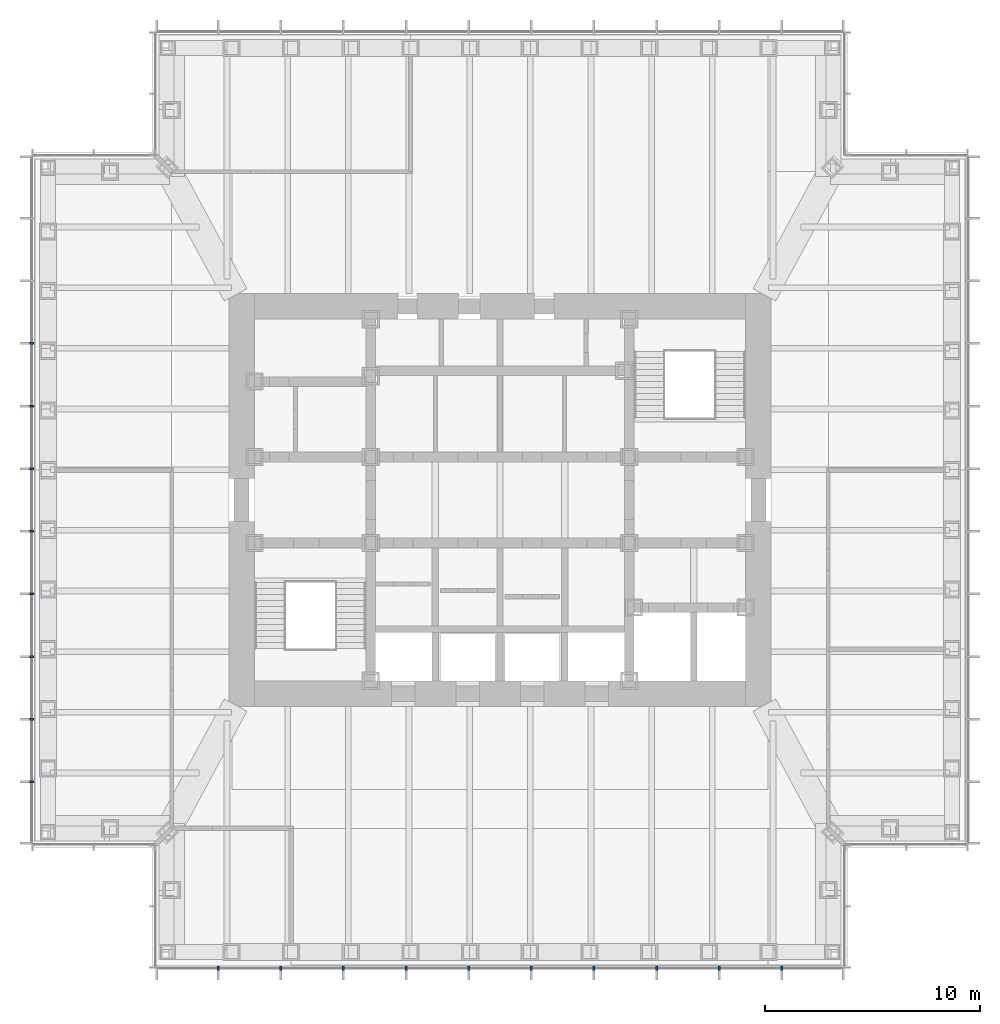
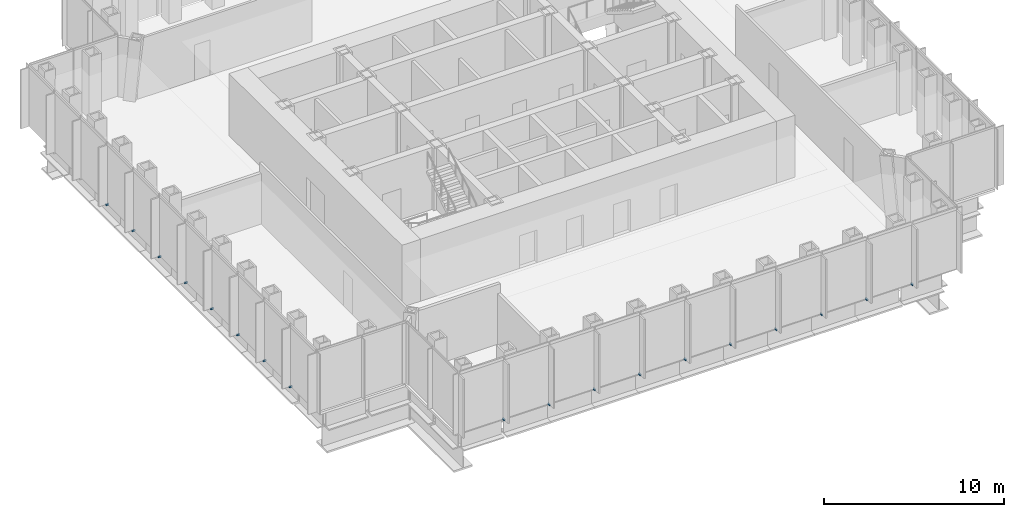
# One storey, part 11 of 14: 18 discrete accessories.
"""IFC4 building model written with IfcOpenShell, lengths in metres."""

from ifc_helpers import new_model, si_unit, direction, frame, origin, origin_2d, place, context, subcontext, project, spatial, rectangle, extrude, element, save


model = new_model("IFC4")

# Units and contexts
model_context = context("Model", 3, precision=1e-05, world=origin(), true_north=direction((0.0, 1.0)))
body_context = subcontext(model_context, "Body", "Model", "MODEL_VIEW")
ifc_project = project(units=[si_unit("LENGTHUNIT", "METRE"), si_unit("AREAUNIT", "SQUARE_METRE"), si_unit("VOLUMEUNIT", "CUBIC_METRE"), si_unit("PLANEANGLEUNIT", "RADIAN"), si_unit("MASSUNIT", "GRAM", prefix="KILO")], contexts=[model_context])

# Site, building, storey
site_placement = place(None, origin())
site = spatial("IfcSite", under=ifc_project, at=site_placement, CompositionType="ELEMENT")
building_placement = place(site_placement, origin())
building = spatial("IfcBuilding", under=site, at=building_placement, Name="Daluyong Arena Tower", CompositionType="ELEMENT")
storey_placement = place(building_placement, frame((0.0, 0.0, 250.300048828125)))
storey = spatial("IfcBuildingStorey", under=building, at=storey_placement, Name="L56", CompositionType="ELEMENT", Elevation=250.300048828125)

# Discrete accessories
for number, where, z_axis, x_axis, name in (
    (1, (42.9091796875, 58.25, -0.10009765625), (0.0, 0.0, 1.0), (1.0, 0.0, 0.0), "curtain wall L56 S anchor bracket 2"),
    (2, (45.818115234375, 58.25, -0.10009765625), (0.0, 0.0, 1.0), (1.0, 0.0, 0.0), "curtain wall L56 S anchor bracket 3"),
    (3, (48.727294921875, 58.25, -0.10009765625), (0.0, 0.0, 1.0), (1.0, 0.0, 0.0), "curtain wall L56 S anchor bracket 4"),
    (4, (51.636474609375, 58.25, -0.10009765625), (0.0, 0.0, 1.0), (1.0, 0.0, 0.0), "curtain wall L56 S anchor bracket 5"),
    (5, (54.54541015625, 58.25, -0.10009765625), (0.0, 0.0, 1.0), (1.0, 0.0, 0.0), "curtain wall L56 S anchor bracket 6"),
    (6, (57.45458984375, 58.25, -0.10009765625), (0.0, 0.0, 1.0), (1.0, 0.0, 0.0), "curtain wall L56 S anchor bracket 7"),
    (7, (60.363525390625, 58.25, -0.10009765625), (0.0, 0.0, 1.0), (1.0, 0.0, 0.0), "curtain wall L56 S anchor bracket 8"),
    (8, (63.272705078125, 58.25, -0.10009765625), (0.0, 0.0, 1.0), (1.0, 0.0, 0.0), "curtain wall L56 S anchor bracket 9"),
    (9, (66.181884765625, 58.25, -0.10009765625), (0.0, 0.0, 1.0), (1.0, 0.0, 0.0), "curtain wall L56 S anchor bracket 10"),
    (10, (69.0908203125, 58.25, -0.10009765625), (0.0, 0.0, 1.0), (1.0, 0.0, 0.0), "curtain wall L56 S anchor bracket 11"),
    (11, (34.25, 87.272705078125, -0.10009765625), (0.0, 0.0, 1.0), (0.0, -1.0, 0.0), "curtain wall L56 W anchor bracket 4"),
    (12, (34.25, 84.363525390625, -0.10009765625), (0.0, 0.0, 1.0), (0.0, -1.0, 0.0), "curtain wall L56 W anchor bracket 5"),
    (13, (34.25, 81.45458984375, -0.10009765625), (0.0, 0.0, 1.0), (0.0, -1.0, 0.0), "curtain wall L56 W anchor bracket 6"),
    (14, (34.25, 78.54541015625, -0.10009765625), (0.0, 0.0, 1.0), (0.0, -1.0, 0.0), "curtain wall L56 W anchor bracket 7"),
    (15, (34.25, 75.636474609375, -0.10009765625), (0.0, 0.0, 1.0), (0.0, -1.0, 0.0), "curtain wall L56 W anchor bracket 8"),
    (16, (34.25, 72.727294921875, -0.10009765625), (0.0, 0.0, 1.0), (0.0, -1.0, 0.0), "curtain wall L56 W anchor bracket 9"),
    (17, (34.25, 69.818115234375, -0.10009765625), (0.0, 0.0, 1.0), (0.0, -1.0, 0.0), "curtain wall L56 W anchor bracket 10"),
    (18, (34.25, 66.9091796875, -0.10009765625), (0.0, 0.0, 1.0), (0.0, -1.0, 0.0), "curtain wall L56 W anchor bracket 11"),
):
    element("IfcDiscreteAccessory", number, at=place(storey_placement, frame(where, z_axis=z_axis, x_axis=x_axis)), inside=storey, Name=name, PredefinedType="BRACKET", context=body_context, shape_type="SweptSolid", body=[
        extrude(rectangle(XDim=0.090087890625, YDim=0.199951171875, at=origin_2d()), origin(), (0.0, 0.0, 1.0), 0.10009765625),
    ])

save(model, "model.ifc")
